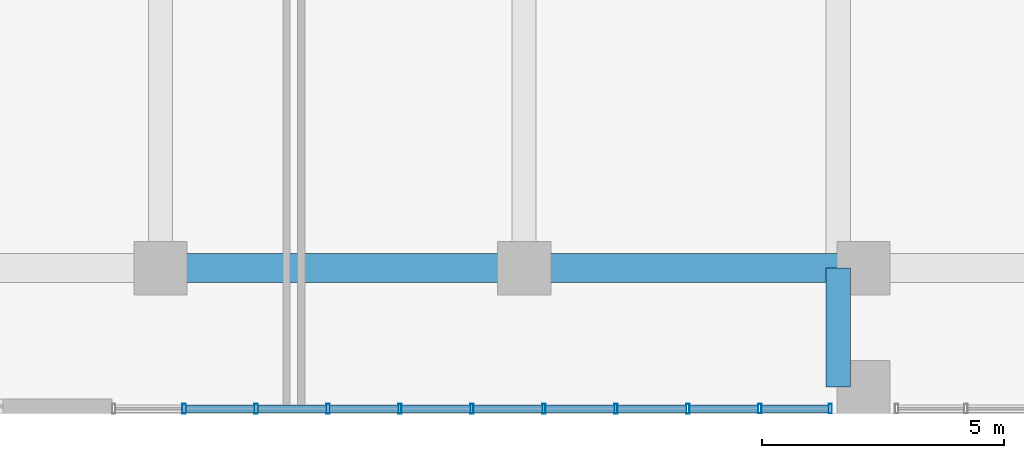
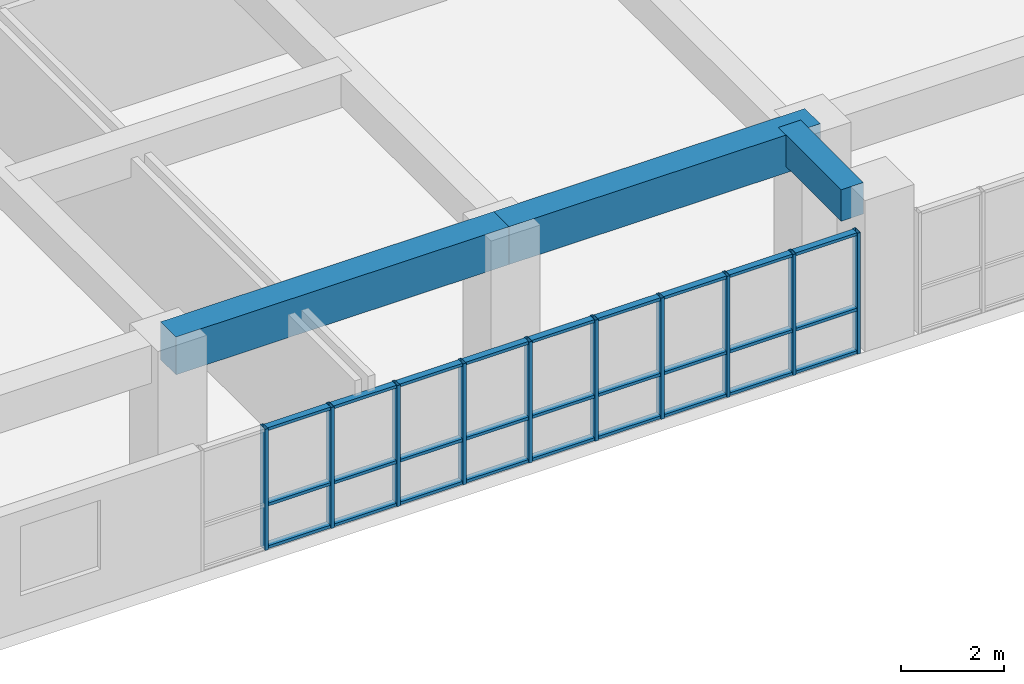
# One storey, part 4 of 30: 37 members, 3 beams, 1 element without a shape of its own.
"""IFC4 building model written with IfcOpenShell, lengths in metres."""

import ifcopenshell
import ifcopenshell.guid

model = None  # the IFC model being written
_history = None  # IfcOwnerHistory: only IFC2X3 demands one
_inside = {}  # id of a spatial element -> (the spatial element, [elements in it])
_under = {}  # id of a project, library or spatial element -> (it, [spatial elements below it])
_declared = {}  # id of a project -> (the project, [libraries it declares])
_typed = {}  # id of a type object -> (the type object, [elements of that type])
_made_of = {}  # id of a material, layer set ... -> (it, [elements and type objects made of it])


def new_model(schema):
    """Start an empty IFC model of exactly this schema.

    Asked for "IFC4X3", IfcOpenShell would pick the latest addendum, in which some entities
    have other attributes; the version numbers below select the first issue.
    IFC2X3 requires an IfcOwnerHistory on every rooted entity: one is made here for all.
    """
    global model, _history
    if schema == "IFC4X3":
        model = ifcopenshell.file(schema_version=(4, 3, 0, 0))
    else:
        model = ifcopenshell.file(schema=schema)
    _inside.clear()
    _under.clear()
    _declared.clear()
    _typed.clear()
    _made_of.clear()
    _history = None
    if model.schema == "IFC2X3":
        org = make("IfcOrganization", Name="unknown")
        user = make(
            "IfcPersonAndOrganization",
            ThePerson=make("IfcPerson", FamilyName="unknown"),
            TheOrganization=org,
        )
        app = make(
            "IfcApplication",
            ApplicationDeveloper=org,
            Version="unknown",
            ApplicationFullName="unknown",
            ApplicationIdentifier="unknown",
        )
        _history = make(
            "IfcOwnerHistory",
            OwningUser=user,
            OwningApplication=app,
            ChangeAction="ADDED",
            CreationDate=0,
        )
    return model


def make(cls, **values):
    """One entity of the class cls with the attributes given. An attribute that is None is left unset."""
    return model.create_entity(
        cls, **{name: value for name, value in values.items() if value is not None}
    )


def rooted(cls, **values):
    """An entity with a GlobalId (a new one), such as an element, a storey or a relation."""
    return make(cls, GlobalId=ifcopenshell.guid.new(), OwnerHistory=_history, **values)


def si_unit(unit_type, name, prefix=None):
    """IfcSIUnit, for example si_unit("LENGTHUNIT", "METRE", prefix="MILLI")."""
    return make("IfcSIUnit", UnitType=unit_type, Prefix=prefix, Name=name)


def assignment(units):
    """IfcUnitAssignment: the units of a project."""
    return None if units is None else make("IfcUnitAssignment", Units=units)


def point(xyz):
    """IfcCartesianPoint."""
    return None if xyz is None else make("IfcCartesianPoint", Coordinates=xyz)


def direction(xyz):
    """IfcDirection."""
    return None if xyz is None else make("IfcDirection", DirectionRatios=xyz)


def frame(location, z_axis=None, x_axis=None):
    """IfcAxis2Placement3D, a coordinate frame: its origin and axes. An axis left out is left unset."""
    return make(
        "IfcAxis2Placement3D",
        Location=point(location),
        Axis=direction(z_axis),
        RefDirection=direction(x_axis),
    )


def frame_2d(location, x_axis=None):
    """IfcAxis2Placement2D, a coordinate frame in the plane: its origin and x axis."""
    return make(
        "IfcAxis2Placement2D", Location=point(location), RefDirection=direction(x_axis)
    )


def origin():
    """The frame at (0, 0, 0) with its axes left unset."""
    return frame((0.0, 0.0, 0.0))


def origin_2d():
    """The frame at (0, 0) in the plane with its x axis left unset."""
    return frame_2d((0.0, 0.0))


def place(relative_to, where):
    """IfcLocalPlacement: puts the frame where relative to a parent placement (None: the world)."""
    return make(
        "IfcLocalPlacement", PlacementRelTo=relative_to, RelativePlacement=where
    )


def context(
    kind, dimensions, precision=None, world=None, true_north=None, identifier=None
):
    """IfcGeometricRepresentationContext, for example the 3D "Model" context."""
    return make(
        "IfcGeometricRepresentationContext",
        ContextIdentifier=identifier,
        ContextType=kind,
        CoordinateSpaceDimension=dimensions,
        Precision=precision,
        WorldCoordinateSystem=world,
        TrueNorth=true_north,
    )


def subcontext(parent, identifier, kind, view, scale=None):
    """IfcGeometricRepresentationSubContext, for example "Body" below "Model"."""
    return make(
        "IfcGeometricRepresentationSubContext",
        ContextIdentifier=identifier,
        ContextType=kind,
        ParentContext=parent,
        TargetScale=scale,
        TargetView=view,
    )


def project(units=None, contexts=None):
    """IfcProject with its units and contexts."""
    return rooted(
        "IfcProject",
        Name="project",
        RepresentationContexts=contexts,
        UnitsInContext=assignment(units),
    )


def spatial(cls, under=None, at=None, **own):
    """A site, building, storey or space (cls), placed at a placement, below another one or the project."""
    s = rooted(cls, ObjectPlacement=at, **own)
    if under is not None:
        _under.setdefault(under.id(), (under, []))[1].append(s)
    return s


def profile(cls, at=None, kind="AREA", **sizes):
    """A parametric profile (cls). Its sizes go by their IFC names, for example OverallWidth=200.0."""
    return make(cls, ProfileType=kind, Position=at, **sizes)


def rectangle(**sizes):
    """IfcRectangleProfileDef."""
    return profile("IfcRectangleProfileDef", **sizes)


def hollow_rectangle(**sizes):
    """IfcRectangleHollowProfileDef."""
    return profile("IfcRectangleHollowProfileDef", **sizes)


def extrude(swept, where, along, depth):
    """IfcExtrudedAreaSolid: the profile swept, set in the frame where, extruded along a direction by depth."""
    return make(
        "IfcExtrudedAreaSolid",
        SweptArea=swept,
        Position=where,
        ExtrudedDirection=direction(along),
        Depth=depth,
    )


def shape(context_of_items, identifier, shape_type, items):
    """IfcShapeRepresentation: the items that make up one representation, for example the "Body"."""
    return make(
        "IfcShapeRepresentation",
        ContextOfItems=context_of_items,
        RepresentationIdentifier=identifier,
        RepresentationType=shape_type,
        Items=items,
    )


def source(mapping_origin, context_of_items, identifier, shape_type, items):
    """IfcRepresentationMap: a shape defined once, which mapped items show again and again."""
    return make(
        "IfcRepresentationMap",
        MappingOrigin=mapping_origin,
        MappedRepresentation=shape(context_of_items, identifier, shape_type, items),
    )


def transform(
    local_origin,
    x_axis=None,
    y_axis=None,
    z_axis=None,
    scale=None,
    scale2=None,
    scale3=None,
    uniform=True,
):
    """IfcCartesianTransformationOperator3D, or its non-uniform kind. x_axis, y_axis, z_axis: its Axis1, 2, 3."""
    if uniform:
        return make(
            "IfcCartesianTransformationOperator3D",
            Axis1=direction(x_axis),
            Axis2=direction(y_axis),
            LocalOrigin=point(local_origin),
            Scale=scale,
            Axis3=direction(z_axis),
        )
    return make(
        "IfcCartesianTransformationOperator3DnonUniform",
        Axis1=direction(x_axis),
        Axis2=direction(y_axis),
        LocalOrigin=point(local_origin),
        Scale=scale,
        Axis3=direction(z_axis),
        Scale2=scale2,
        Scale3=scale3,
    )


def mapped(mapping_source, mapping_target):
    """IfcMappedItem: shows the shape of a source again, moved by a transform."""
    return make(
        "IfcMappedItem", MappingSource=mapping_source, MappingTarget=mapping_target
    )


def material(Name=None, Category=None):
    """IfcMaterial."""
    return make("IfcMaterial", Name=Name, Category=Category)


def layer(
    of_material, thickness, ventilated=None, Name=None, Category=None, Priority=None
):
    """IfcMaterialLayer: one layer of a wall or slab, of a material (None: an air gap)."""
    return make(
        "IfcMaterialLayer",
        Material=of_material,
        LayerThickness=thickness,
        IsVentilated=ventilated,
        Name=Name,
        Category=Category,
        Priority=Priority,
    )


def layer_set(layers, Name=None):
    """IfcMaterialLayerSet."""
    return make("IfcMaterialLayerSet", MaterialLayers=layers, LayerSetName=Name)


def material_profile(
    of_material, cross_section, Name=None, Category=None, Priority=None
):
    """IfcMaterialProfile: a cross section and its material."""
    return make(
        "IfcMaterialProfile",
        Name=Name,
        Material=of_material,
        Profile=cross_section,
        Priority=Priority,
        Category=Category,
    )


def profile_set(profiles, Name=None, composite=None):
    """IfcMaterialProfileSet."""
    return make(
        "IfcMaterialProfileSet",
        Name=Name,
        MaterialProfiles=profiles,
        CompositeProfile=composite,
    )


def made_of(thing, what):
    """Note that an element or type object is made of a material, layer set ...; save() writes the relation."""
    if what is not None:
        _made_of.setdefault(what.id(), (what, []))[1].append(thing)
    return thing


def type_object(cls, material=None, **own):
    """A type object (cls), such as IfcWallType, which elements share."""
    return made_of(rooted(cls, **own), material)


def element(
    cls,
    number,
    at=None,
    inside=None,
    cuts=None,
    type_object=None,
    material=None,
    context=None,
    identifier="Body",
    shape_type=None,
    held_by="IfcProductDefinitionShape",
    body=None,
    shapes=None,
    **own,
):
    """One element of the class cls, such as IfcWall. Its Tag is "e" and its number.

    at: its placement. inside: the storey or other place that contains it. cuts: it is an
    opening in that element (IfcRelVoidsElement). A single representation is given by context,
    identifier, shape_type and body (its items); several are given by shapes. held_by: the class
    of the entity that holds the representations. save() writes the other relations.
    """
    e = rooted(cls, Tag="e%d" % number, ObjectPlacement=at, **own)
    if body is not None:
        shapes = [shape(context, identifier, shape_type, body)]
    if shapes is not None:
        e.Representation = make(held_by, Representations=shapes)
    if inside is not None:
        _inside.setdefault(inside.id(), (inside, []))[1].append(e)
    if cuts is not None:
        rooted(
            "IfcRelVoidsElement", RelatingBuildingElement=cuts, RelatedOpeningElement=e
        )
    if type_object is not None:
        _typed.setdefault(type_object.id(), (type_object, []))[1].append(e)
    return made_of(e, material)


def aggregate(whole, parts):
    """IfcRelAggregates: a whole, such as a stair, and the parts it consists of."""
    return rooted("IfcRelAggregates", RelatingObject=whole, RelatedObjects=parts)


def save(model, path):
    """Write the relations noted so far, then the file.

    IfcRelAggregates (storeys below a building ...), IfcRelContainedInSpatialStructure (elements
    in a storey), IfcRelDefinesByType, IfcRelAssociatesMaterial and IfcRelDeclares: one each for
    every whole, place, type object, material and project.
    """
    for whole, parts in _under.values():
        aggregate(whole, parts)
    for where, things in _inside.values():
        rooted(
            "IfcRelContainedInSpatialStructure",
            RelatedElements=things,
            RelatingStructure=where,
        )
    for kind, things in _typed.values():
        rooted("IfcRelDefinesByType", RelatedObjects=things, RelatingType=kind)
    for what, things in _made_of.values():
        rooted("IfcRelAssociatesMaterial", RelatedObjects=things, RelatingMaterial=what)
    for by, libraries in _declared.values():
        rooted("IfcRelDeclares", RelatingContext=by, RelatedDefinitions=libraries)
    model.write(path)


model = new_model("IFC4")

# Units and contexts
model_context = context("Model", 3, precision=1e-05, world=origin(), true_north=direction((0.0, 1.0)))
body_context = subcontext(model_context, "Body", "Model", "MODEL_VIEW")
ifc_project = project(units=[si_unit("LENGTHUNIT", "METRE"), si_unit("AREAUNIT", "SQUARE_METRE"), si_unit("VOLUMEUNIT", "CUBIC_METRE"), si_unit("PLANEANGLEUNIT", "RADIAN"), si_unit("MASSUNIT", "GRAM", prefix="KILO")], contexts=[model_context])

# Site, building, storey
site_placement = place(None, origin())
site = spatial("IfcSite", under=ifc_project, at=site_placement, CompositionType="ELEMENT")
building_placement = place(site_placement, origin())
building = spatial("IfcBuilding", under=site, at=building_placement, Name="Saelheon Loggia Tower", CompositionType="ELEMENT")
storey_placement = place(building_placement, frame((0.0, 0.0, 11.39990234375)))
storey = spatial("IfcBuildingStorey", under=building, at=storey_placement, Name="L03", CompositionType="ELEMENT", Elevation=11.39990234375)

# Beams
ifc_material_1 = material(Name="Concrete C50/60", Category="concrete")
ifc_material_profile_1 = material_profile(ifc_material_1, rectangle(XDim=0.60009765625, YDim=0.89990234375, at=origin_2d()), Name="RC-600x900")
ifc_profile_set_1 = profile_set([ifc_material_profile_1], Name="Concrete C50/60")
beam_type_1 = type_object("IfcBeamType", Name="Beam_MainGirder_RC600x900", PredefinedType="BEAM", material=ifc_profile_set_1)
shared_shape_1 = source(origin(), body_context, "Body", "SweptSolid", [
    extrude(rectangle(XDim=0.60009765625, YDim=0.89990234375, at=origin_2d()), origin(), (0.0, 0.0, 1.0), 7.5),
])
beam_1_placement = place(storey_placement, frame((17.0, 3.0, 3.150146484375), z_axis=(1.0, 0.0, 0.0), x_axis=(0.0, 1.0, 0.0)))
element("IfcBeam", 1, at=beam_1_placement, inside=storey, type_object=beam_type_1, Name="BM-L03-EW-3-2", PredefinedType="BEAM", context=body_context, shape_type="MappedRepresentation", body=[
    mapped(shared_shape_1, transform((0.0, 0.0, 0.0), scale=1.0)),
])
shared_shape_2 = source(origin(), body_context, "Body", "SweptSolid", [
    extrude(rectangle(XDim=0.60009765625, YDim=0.89990234375, at=origin_2d()), origin(), (0.0, 0.0, 1.0), 7.0),
])
beam_2_placement = place(storey_placement, frame((24.5, 3.0, 3.150146484375), z_axis=(1.0, 0.0, 0.0), x_axis=(0.0, 1.0, 0.0)))
element("IfcBeam", 2, at=beam_2_placement, inside=storey, type_object=beam_type_1, Name="BM-L03-EW-3-3", PredefinedType="BEAM", context=body_context, shape_type="MappedRepresentation", body=[
    mapped(shared_shape_2, transform((0.0, 0.0, 0.0), scale=1.0)),
])
ifc_material_2 = material(Name="Concrete C45/55", Category="concrete")
ifc_material_profile_2 = material_profile(ifc_material_2, rectangle(XDim=0.5, YDim=0.75, at=origin_2d()), Name="RC-500x750")
ifc_profile_set_2 = profile_set([ifc_material_profile_2], Name="Concrete C45/55")
beam_type_2 = type_object("IfcBeamType", Name="Beam_FloorGirder_RC500x750", PredefinedType="BEAM", material=ifc_profile_set_2)
shared_shape_3 = source(origin(), body_context, "Body", "SweptSolid", [
    extrude(rectangle(XDim=0.5, YDim=0.75, at=origin_2d()), origin(), (0.0, 0.0, 1.0), 2.449951171875),
])
beam_3_placement = place(storey_placement, frame((30.97998046875, 0.550048828125, 3.22509765625), z_axis=(0.0, 1.0, 0.0), x_axis=(-1.0, 0.0, 0.0)))
element("IfcBeam", 3, at=beam_3_placement, inside=storey, type_object=beam_type_2, Name="BM-L03-NS-30-1", PredefinedType="BEAM", context=body_context, shape_type="MappedRepresentation", body=[
    mapped(shared_shape_3, transform((0.0, 0.0, 0.0), scale=1.0)),
])

# Curtain wall, members
ifc_material_3 = material(Name="Aluminium 6063-T6 and Low-E IGU", Category="aluminium")
ifc_layer = layer(ifc_material_3, 0.179931640625)
ifc_layer_set = layer_set([ifc_layer], Name="Aluminium 6063-T6 and Low-E IGU")
curtain_wall_type = type_object("IfcCurtainWallType", Name="CW_PodiumClinic", PredefinedType="NOTDEFINED", material=ifc_layer_set)
curtain_wall_placement = place(storey_placement, origin())
curtain_wall = element("IfcCurtainWall", 4, at=curtain_wall_placement, inside=storey, type_object=curtain_wall_type, Name="L03 South Clinic Curtain Wall 1", PredefinedType="NOTDEFINED")
ifc_material_4 = material(Name="Anodised Aluminium 6063-T6", Category="aluminium")
ifc_material_profile_3 = material_profile(ifc_material_4, hollow_rectangle(XDim=0.070068359375, YDim=0.199951171875, WallThickness=0.0048828125, at=origin_2d()), Name="RHS-200x70x5")
ifc_profile_set_3 = profile_set([ifc_material_profile_3], Name="Anodised Aluminium 6063-T6")
member_type_1 = type_object("IfcMemberType", Name="CW_PodiumClinic_Mullion", PredefinedType="MULLION", material=ifc_profile_set_3)
shared_shape_4 = source(origin(), body_context, "Body", "SweptSolid", [
    extrude(hollow_rectangle(XDim=0.070068359375, YDim=0.199951171875, WallThickness=0.0048828125, at=origin_2d()), origin(), (0.0, 0.0, 1.0), 2.880126953125),
])
member_1_placement = place(storey_placement, frame((17.485107421875, 0.10009765625, 0.0), z_axis=(0.0, 0.0, 1.0), x_axis=(1.0, 0.0, 0.0)))
member_1 = element("IfcMember", 5, at=member_1_placement, type_object=member_type_1, Name="CW1 mullion 2", PredefinedType="MULLION", context=body_context, shape_type="MappedRepresentation", body=[
    mapped(shared_shape_4, transform((0.0, 0.0, 0.0), scale=1.0)),
])
member_2_placement = place(storey_placement, frame((18.969970703125, 0.10009765625, 0.0), z_axis=(0.0, 0.0, 1.0), x_axis=(1.0, 0.0, 0.0)))
member_2 = element("IfcMember", 6, at=member_2_placement, type_object=member_type_1, Name="CW1 mullion 3", PredefinedType="MULLION", context=body_context, shape_type="MappedRepresentation", body=[
    mapped(shared_shape_4, transform((0.0, 0.0, 0.0), scale=1.0)),
])
member_3_placement = place(storey_placement, frame((20.455078125, 0.10009765625, 0.0), z_axis=(0.0, 0.0, 1.0), x_axis=(1.0, 0.0, 0.0)))
member_3 = element("IfcMember", 7, at=member_3_placement, type_object=member_type_1, Name="CW1 mullion 4", PredefinedType="MULLION", context=body_context, shape_type="MappedRepresentation", body=[
    mapped(shared_shape_4, transform((0.0, 0.0, 0.0), scale=1.0)),
])
member_4_placement = place(storey_placement, frame((21.93994140625, 0.10009765625, 0.0), z_axis=(0.0, 0.0, 1.0), x_axis=(1.0, 0.0, 0.0)))
member_4 = element("IfcMember", 8, at=member_4_placement, type_object=member_type_1, Name="CW1 mullion 5", PredefinedType="MULLION", context=body_context, shape_type="MappedRepresentation", body=[
    mapped(shared_shape_4, transform((0.0, 0.0, 0.0), scale=1.0)),
])
member_5_placement = place(storey_placement, frame((23.425048828125, 0.10009765625, 0.0), z_axis=(0.0, 0.0, 1.0), x_axis=(1.0, 0.0, 0.0)))
member_5 = element("IfcMember", 9, at=member_5_placement, type_object=member_type_1, Name="CW1 mullion 6", PredefinedType="MULLION", context=body_context, shape_type="MappedRepresentation", body=[
    mapped(shared_shape_4, transform((0.0, 0.0, 0.0), scale=1.0)),
])
member_6_placement = place(storey_placement, frame((24.909912109375, 0.10009765625, 0.0), z_axis=(0.0, 0.0, 1.0), x_axis=(1.0, 0.0, 0.0)))
member_6 = element("IfcMember", 10, at=member_6_placement, type_object=member_type_1, Name="CW1 mullion 7", PredefinedType="MULLION", context=body_context, shape_type="MappedRepresentation", body=[
    mapped(shared_shape_4, transform((0.0, 0.0, 0.0), scale=1.0)),
])
member_7_placement = place(storey_placement, frame((26.39501953125, 0.10009765625, 0.0), z_axis=(0.0, 0.0, 1.0), x_axis=(1.0, 0.0, 0.0)))
member_7 = element("IfcMember", 11, at=member_7_placement, type_object=member_type_1, Name="CW1 mullion 8", PredefinedType="MULLION", context=body_context, shape_type="MappedRepresentation", body=[
    mapped(shared_shape_4, transform((0.0, 0.0, 0.0), scale=1.0)),
])
member_8_placement = place(storey_placement, frame((27.8798828125, 0.10009765625, 0.0), z_axis=(0.0, 0.0, 1.0), x_axis=(1.0, 0.0, 0.0)))
member_8 = element("IfcMember", 12, at=member_8_placement, type_object=member_type_1, Name="CW1 mullion 9", PredefinedType="MULLION", context=body_context, shape_type="MappedRepresentation", body=[
    mapped(shared_shape_4, transform((0.0, 0.0, 0.0), scale=1.0)),
])
member_9_placement = place(storey_placement, frame((29.364990234375, 0.10009765625, 0.0), z_axis=(0.0, 0.0, 1.0), x_axis=(1.0, 0.0, 0.0)))
member_9 = element("IfcMember", 13, at=member_9_placement, type_object=member_type_1, Name="CW1 mullion 10", PredefinedType="MULLION", context=body_context, shape_type="MappedRepresentation", body=[
    mapped(shared_shape_4, transform((0.0, 0.0, 0.0), scale=1.0)),
])
member_10_placement = place(storey_placement, frame((30.81494140625, 0.10009765625, 0.0), z_axis=(0.0, 0.0, 1.0), x_axis=(1.0, 0.0, 0.0)))
member_10 = element("IfcMember", 14, at=member_10_placement, type_object=member_type_1, Name="CW1 mullion 11", PredefinedType="MULLION", context=body_context, shape_type="MappedRepresentation", body=[
    mapped(shared_shape_4, transform((0.0, 0.0, 0.0), scale=1.0)),
])
ifc_material_profile_4 = material_profile(ifc_material_4, hollow_rectangle(XDim=0.070068359375, YDim=0.14990234375, WallThickness=0.0048828125, at=origin_2d()), Name="RHS-150x70x5")
ifc_profile_set_4 = profile_set([ifc_material_profile_4], Name="Anodised Aluminium 6063-T6")
member_type_2 = type_object("IfcMemberType", Name="CW_PodiumClinic_Transom", PredefinedType="USERDEFINED", material=ifc_profile_set_4)
shared_shape_5 = source(origin(), body_context, "Body", "SweptSolid", [
    extrude(hollow_rectangle(XDim=0.070068359375, YDim=0.14990234375, WallThickness=0.0048828125, at=origin_2d()), origin(), (0.0, 0.0, 1.0), 1.4150390625),
])
member_11_placement = place(storey_placement, frame((17.52001953125, 0.10009765625, 0.03515625), z_axis=(1.0, 0.0, 0.0), x_axis=(0.0, 0.0, 1.0)))
member_11 = element("IfcMember", 15, at=member_11_placement, type_object=member_type_2, Name="CW1 transom 2.1", ObjectType="TRANSOM", PredefinedType="USERDEFINED", context=body_context, shape_type="MappedRepresentation", body=[
    mapped(shared_shape_5, transform((0.0, 0.0, 0.0), scale=1.0)),
])
member_12_placement = place(storey_placement, frame((17.52001953125, 0.10009765625, 1.050048828125), z_axis=(1.0, 0.0, 0.0), x_axis=(0.0, 0.0, 1.0)))
member_12 = element("IfcMember", 16, at=member_12_placement, type_object=member_type_2, Name="CW1 transom 2.2", ObjectType="TRANSOM", PredefinedType="USERDEFINED", context=body_context, shape_type="MappedRepresentation", body=[
    mapped(shared_shape_5, transform((0.0, 0.0, 0.0), scale=1.0)),
])
member_13_placement = place(storey_placement, frame((17.52001953125, 0.10009765625, 2.84521484375), z_axis=(1.0, 0.0, 0.0), x_axis=(0.0, 0.0, 1.0)))
member_13 = element("IfcMember", 17, at=member_13_placement, type_object=member_type_2, Name="CW1 transom 2.3", ObjectType="TRANSOM", PredefinedType="USERDEFINED", context=body_context, shape_type="MappedRepresentation", body=[
    mapped(shared_shape_5, transform((0.0, 0.0, 0.0), scale=1.0)),
])
member_14_placement = place(storey_placement, frame((19.0048828125, 0.10009765625, 0.03515625), z_axis=(1.0, 0.0, 0.0), x_axis=(0.0, 0.0, 1.0)))
member_14 = element("IfcMember", 18, at=member_14_placement, type_object=member_type_2, Name="CW1 transom 3.1", ObjectType="TRANSOM", PredefinedType="USERDEFINED", context=body_context, shape_type="MappedRepresentation", body=[
    mapped(shared_shape_5, transform((0.0, 0.0, 0.0), scale=1.0)),
])
member_15_placement = place(storey_placement, frame((19.0048828125, 0.10009765625, 1.050048828125), z_axis=(1.0, 0.0, 0.0), x_axis=(0.0, 0.0, 1.0)))
member_15 = element("IfcMember", 19, at=member_15_placement, type_object=member_type_2, Name="CW1 transom 3.2", ObjectType="TRANSOM", PredefinedType="USERDEFINED", context=body_context, shape_type="MappedRepresentation", body=[
    mapped(shared_shape_5, transform((0.0, 0.0, 0.0), scale=1.0)),
])
member_16_placement = place(storey_placement, frame((19.0048828125, 0.10009765625, 2.84521484375), z_axis=(1.0, 0.0, 0.0), x_axis=(0.0, 0.0, 1.0)))
member_16 = element("IfcMember", 20, at=member_16_placement, type_object=member_type_2, Name="CW1 transom 3.3", ObjectType="TRANSOM", PredefinedType="USERDEFINED", context=body_context, shape_type="MappedRepresentation", body=[
    mapped(shared_shape_5, transform((0.0, 0.0, 0.0), scale=1.0)),
])
member_17_placement = place(storey_placement, frame((20.489990234375, 0.10009765625, 0.03515625), z_axis=(1.0, 0.0, 0.0), x_axis=(0.0, 0.0, 1.0)))
member_17 = element("IfcMember", 21, at=member_17_placement, type_object=member_type_2, Name="CW1 transom 4.1", ObjectType="TRANSOM", PredefinedType="USERDEFINED", context=body_context, shape_type="MappedRepresentation", body=[
    mapped(shared_shape_5, transform((0.0, 0.0, 0.0), scale=1.0)),
])
member_18_placement = place(storey_placement, frame((20.489990234375, 0.10009765625, 1.050048828125), z_axis=(1.0, 0.0, 0.0), x_axis=(0.0, 0.0, 1.0)))
member_18 = element("IfcMember", 22, at=member_18_placement, type_object=member_type_2, Name="CW1 transom 4.2", ObjectType="TRANSOM", PredefinedType="USERDEFINED", context=body_context, shape_type="MappedRepresentation", body=[
    mapped(shared_shape_5, transform((0.0, 0.0, 0.0), scale=1.0)),
])
member_19_placement = place(storey_placement, frame((20.489990234375, 0.10009765625, 2.84521484375), z_axis=(1.0, 0.0, 0.0), x_axis=(0.0, 0.0, 1.0)))
member_19 = element("IfcMember", 23, at=member_19_placement, type_object=member_type_2, Name="CW1 transom 4.3", ObjectType="TRANSOM", PredefinedType="USERDEFINED", context=body_context, shape_type="MappedRepresentation", body=[
    mapped(shared_shape_5, transform((0.0, 0.0, 0.0), scale=1.0)),
])
member_20_placement = place(storey_placement, frame((23.4599609375, 0.10009765625, 0.03515625), z_axis=(1.0, 0.0, 0.0), x_axis=(0.0, 0.0, 1.0)))
member_20 = element("IfcMember", 24, at=member_20_placement, type_object=member_type_2, Name="CW1 transom 6.1", ObjectType="TRANSOM", PredefinedType="USERDEFINED", context=body_context, shape_type="MappedRepresentation", body=[
    mapped(shared_shape_5, transform((0.0, 0.0, 0.0), scale=1.0)),
])
member_21_placement = place(storey_placement, frame((23.4599609375, 0.10009765625, 1.050048828125), z_axis=(1.0, 0.0, 0.0), x_axis=(0.0, 0.0, 1.0)))
member_21 = element("IfcMember", 25, at=member_21_placement, type_object=member_type_2, Name="CW1 transom 6.2", ObjectType="TRANSOM", PredefinedType="USERDEFINED", context=body_context, shape_type="MappedRepresentation", body=[
    mapped(shared_shape_5, transform((0.0, 0.0, 0.0), scale=1.0)),
])
member_22_placement = place(storey_placement, frame((23.4599609375, 0.10009765625, 2.84521484375), z_axis=(1.0, 0.0, 0.0), x_axis=(0.0, 0.0, 1.0)))
member_22 = element("IfcMember", 26, at=member_22_placement, type_object=member_type_2, Name="CW1 transom 6.3", ObjectType="TRANSOM", PredefinedType="USERDEFINED", context=body_context, shape_type="MappedRepresentation", body=[
    mapped(shared_shape_5, transform((0.0, 0.0, 0.0), scale=1.0)),
])
member_23_placement = place(storey_placement, frame((24.945068359375, 0.10009765625, 0.03515625), z_axis=(1.0, 0.0, 0.0), x_axis=(0.0, 0.0, 1.0)))
member_23 = element("IfcMember", 27, at=member_23_placement, type_object=member_type_2, Name="CW1 transom 7.1", ObjectType="TRANSOM", PredefinedType="USERDEFINED", context=body_context, shape_type="MappedRepresentation", body=[
    mapped(shared_shape_5, transform((0.0, 0.0, 0.0), scale=1.0)),
])
member_24_placement = place(storey_placement, frame((24.945068359375, 0.10009765625, 1.050048828125), z_axis=(1.0, 0.0, 0.0), x_axis=(0.0, 0.0, 1.0)))
member_24 = element("IfcMember", 28, at=member_24_placement, type_object=member_type_2, Name="CW1 transom 7.2", ObjectType="TRANSOM", PredefinedType="USERDEFINED", context=body_context, shape_type="MappedRepresentation", body=[
    mapped(shared_shape_5, transform((0.0, 0.0, 0.0), scale=1.0)),
])
member_25_placement = place(storey_placement, frame((24.945068359375, 0.10009765625, 2.84521484375), z_axis=(1.0, 0.0, 0.0), x_axis=(0.0, 0.0, 1.0)))
member_25 = element("IfcMember", 29, at=member_25_placement, type_object=member_type_2, Name="CW1 transom 7.3", ObjectType="TRANSOM", PredefinedType="USERDEFINED", context=body_context, shape_type="MappedRepresentation", body=[
    mapped(shared_shape_5, transform((0.0, 0.0, 0.0), scale=1.0)),
])
member_26_placement = place(storey_placement, frame((26.429931640625, 0.10009765625, 0.03515625), z_axis=(1.0, 0.0, 0.0), x_axis=(0.0, 0.0, 1.0)))
member_26 = element("IfcMember", 30, at=member_26_placement, type_object=member_type_2, Name="CW1 transom 8.1", ObjectType="TRANSOM", PredefinedType="USERDEFINED", context=body_context, shape_type="MappedRepresentation", body=[
    mapped(shared_shape_5, transform((0.0, 0.0, 0.0), scale=1.0)),
])
member_27_placement = place(storey_placement, frame((26.429931640625, 0.10009765625, 1.050048828125), z_axis=(1.0, 0.0, 0.0), x_axis=(0.0, 0.0, 1.0)))
member_27 = element("IfcMember", 31, at=member_27_placement, type_object=member_type_2, Name="CW1 transom 8.2", ObjectType="TRANSOM", PredefinedType="USERDEFINED", context=body_context, shape_type="MappedRepresentation", body=[
    mapped(shared_shape_5, transform((0.0, 0.0, 0.0), scale=1.0)),
])
member_28_placement = place(storey_placement, frame((26.429931640625, 0.10009765625, 2.84521484375), z_axis=(1.0, 0.0, 0.0), x_axis=(0.0, 0.0, 1.0)))
member_28 = element("IfcMember", 32, at=member_28_placement, type_object=member_type_2, Name="CW1 transom 8.3", ObjectType="TRANSOM", PredefinedType="USERDEFINED", context=body_context, shape_type="MappedRepresentation", body=[
    mapped(shared_shape_5, transform((0.0, 0.0, 0.0), scale=1.0)),
])
member_29_placement = place(storey_placement, frame((27.9150390625, 0.10009765625, 0.03515625), z_axis=(1.0, 0.0, 0.0), x_axis=(0.0, 0.0, 1.0)))
member_29 = element("IfcMember", 33, at=member_29_placement, type_object=member_type_2, Name="CW1 transom 9.1", ObjectType="TRANSOM", PredefinedType="USERDEFINED", context=body_context, shape_type="MappedRepresentation", body=[
    mapped(shared_shape_5, transform((0.0, 0.0, 0.0), scale=1.0)),
])
member_30_placement = place(storey_placement, frame((27.9150390625, 0.10009765625, 1.050048828125), z_axis=(1.0, 0.0, 0.0), x_axis=(0.0, 0.0, 1.0)))
member_30 = element("IfcMember", 34, at=member_30_placement, type_object=member_type_2, Name="CW1 transom 9.2", ObjectType="TRANSOM", PredefinedType="USERDEFINED", context=body_context, shape_type="MappedRepresentation", body=[
    mapped(shared_shape_5, transform((0.0, 0.0, 0.0), scale=1.0)),
])
member_31_placement = place(storey_placement, frame((27.9150390625, 0.10009765625, 2.84521484375), z_axis=(1.0, 0.0, 0.0), x_axis=(0.0, 0.0, 1.0)))
member_31 = element("IfcMember", 35, at=member_31_placement, type_object=member_type_2, Name="CW1 transom 9.3", ObjectType="TRANSOM", PredefinedType="USERDEFINED", context=body_context, shape_type="MappedRepresentation", body=[
    mapped(shared_shape_5, transform((0.0, 0.0, 0.0), scale=1.0)),
])
shared_shape_6 = source(origin(), body_context, "Body", "SweptSolid", [
    extrude(hollow_rectangle(XDim=0.070068359375, YDim=0.14990234375, WallThickness=0.0048828125, at=origin_2d()), origin(), (0.0, 0.0, 1.0), 1.414794921875),
])
member_32_placement = place(storey_placement, frame((21.97509765625, 0.10009765625, 0.03515625), z_axis=(1.0, 0.0, 0.0), x_axis=(0.0, 0.0, 1.0)))
member_32 = element("IfcMember", 36, at=member_32_placement, type_object=member_type_2, Name="CW1 transom 5.1", ObjectType="TRANSOM", PredefinedType="USERDEFINED", context=body_context, shape_type="MappedRepresentation", body=[
    mapped(shared_shape_6, transform((0.0, 0.0, 0.0), scale=1.0)),
])
member_33_placement = place(storey_placement, frame((21.97509765625, 0.10009765625, 1.050048828125), z_axis=(1.0, 0.0, 0.0), x_axis=(0.0, 0.0, 1.0)))
member_33 = element("IfcMember", 37, at=member_33_placement, type_object=member_type_2, Name="CW1 transom 5.2", ObjectType="TRANSOM", PredefinedType="USERDEFINED", context=body_context, shape_type="MappedRepresentation", body=[
    mapped(shared_shape_6, transform((0.0, 0.0, 0.0), scale=1.0)),
])
member_34_placement = place(storey_placement, frame((21.97509765625, 0.10009765625, 2.84521484375), z_axis=(1.0, 0.0, 0.0), x_axis=(0.0, 0.0, 1.0)))
member_34 = element("IfcMember", 38, at=member_34_placement, type_object=member_type_2, Name="CW1 transom 5.3", ObjectType="TRANSOM", PredefinedType="USERDEFINED", context=body_context, shape_type="MappedRepresentation", body=[
    mapped(shared_shape_6, transform((0.0, 0.0, 0.0), scale=1.0)),
])
shared_shape_7 = source(origin(), body_context, "Body", "SweptSolid", [
    extrude(hollow_rectangle(XDim=0.070068359375, YDim=0.14990234375, WallThickness=0.0048828125, at=origin_2d()), origin(), (0.0, 0.0, 1.0), 1.380126953125),
])
member_35_placement = place(storey_placement, frame((29.39990234375, 0.10009765625, 0.03515625), z_axis=(1.0, 0.0, 0.0), x_axis=(0.0, 0.0, 1.0)))
member_35 = element("IfcMember", 39, at=member_35_placement, type_object=member_type_2, Name="CW1 transom 10.1", ObjectType="TRANSOM", PredefinedType="USERDEFINED", context=body_context, shape_type="MappedRepresentation", body=[
    mapped(shared_shape_7, transform((0.0, 0.0, 0.0), scale=1.0)),
])
member_36_placement = place(storey_placement, frame((29.39990234375, 0.10009765625, 1.050048828125), z_axis=(1.0, 0.0, 0.0), x_axis=(0.0, 0.0, 1.0)))
member_36 = element("IfcMember", 40, at=member_36_placement, type_object=member_type_2, Name="CW1 transom 10.2", ObjectType="TRANSOM", PredefinedType="USERDEFINED", context=body_context, shape_type="MappedRepresentation", body=[
    mapped(shared_shape_7, transform((0.0, 0.0, 0.0), scale=1.0)),
])
member_37_placement = place(storey_placement, frame((29.39990234375, 0.10009765625, 2.84521484375), z_axis=(1.0, 0.0, 0.0), x_axis=(0.0, 0.0, 1.0)))
member_37 = element("IfcMember", 41, at=member_37_placement, type_object=member_type_2, Name="CW1 transom 10.3", ObjectType="TRANSOM", PredefinedType="USERDEFINED", context=body_context, shape_type="MappedRepresentation", body=[
    mapped(shared_shape_7, transform((0.0, 0.0, 0.0), scale=1.0)),
])
aggregate(curtain_wall, [member_1, member_2, member_3, member_4, member_5, member_6, member_7, member_8, member_9, member_10, member_11, member_12, member_13, member_14, member_15, member_16, member_17, member_18, member_19, member_32, member_33, member_34, member_20, member_21, member_22, member_23, member_24, member_25, member_26, member_27, member_28, member_29, member_30, member_31, member_35, member_36, member_37])

save(model, "model.ifc")
